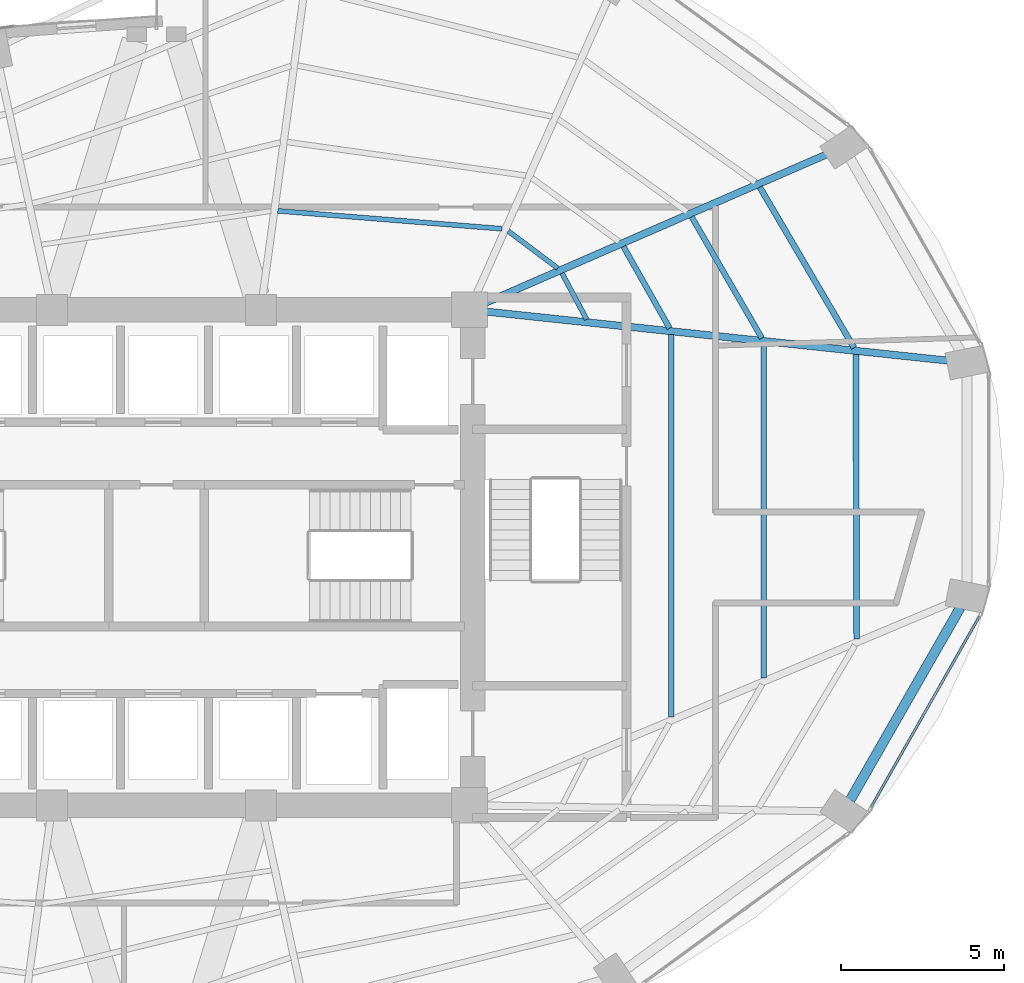
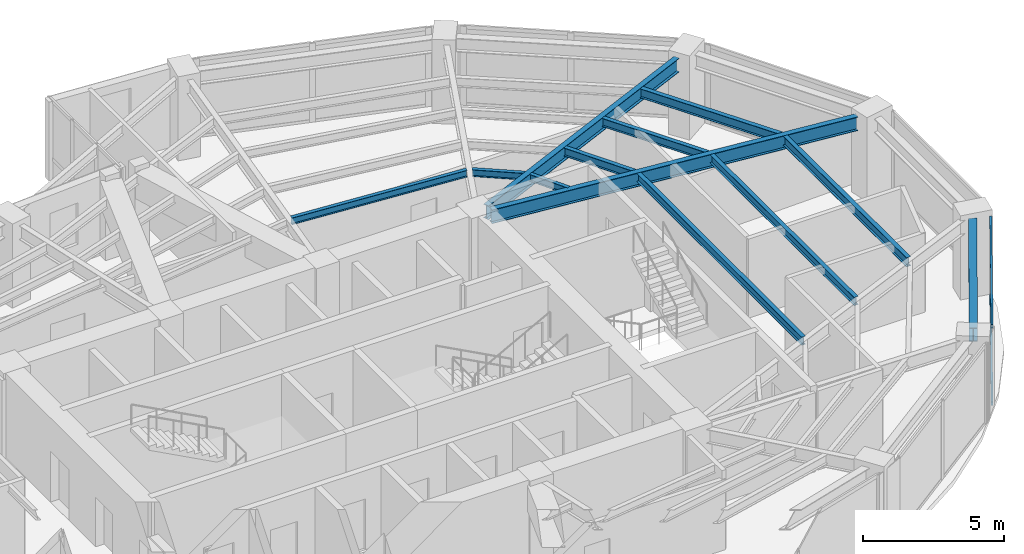
# One storey, part 12 of 24: 12 beams, 2 members, 1 element without a shape of its own.
"""IFC4 building model written with IfcOpenShell, lengths in metres."""

from ifc_helpers import new_model, si_unit, direction, frame, origin, origin_2d, place, context, subcontext, project, spatial, hollow_rectangle, i_section, extrude, material, layer, layer_set, material_profile, profile_set, type_object, element, aggregate, save


model = new_model("IFC4")

# Units and contexts
model_context = context("Model", 3, precision=1e-05, world=origin(), true_north=direction((0.0, 1.0)))
body_context = subcontext(model_context, "Body", "Model", "MODEL_VIEW")
ifc_project = project(units=[si_unit("LENGTHUNIT", "METRE"), si_unit("AREAUNIT", "SQUARE_METRE"), si_unit("VOLUMEUNIT", "CUBIC_METRE"), si_unit("PLANEANGLEUNIT", "RADIAN"), si_unit("MASSUNIT", "GRAM", prefix="KILO")], contexts=[model_context])

# Site, building, storey
site_placement = place(None, origin())
site = spatial("IfcSite", under=ifc_project, at=site_placement, CompositionType="ELEMENT")
building_placement = place(site_placement, origin())
building = spatial("IfcBuilding", under=site, at=building_placement, Name="Lazwardi Medical Tower", CompositionType="ELEMENT")
storey_placement = place(building_placement, frame((0.0, 0.0, 99.98388671875)))
storey = spatial("IfcBuildingStorey", under=building, at=storey_placement, Name="L25", CompositionType="ELEMENT", Elevation=99.98388671875)

# Beams
ifc_material_1 = material(Name="Steel S355", Category="steel")
ifc_material_profile_1 = material_profile(ifc_material_1, i_section(OverallWidth=0.300048828125, OverallDepth=0.60009765625, WebThickness=0.015380859375, FlangeThickness=0.030029296875, at=origin_2d()), Name="HEB 600")
ifc_profile_set_1 = profile_set([ifc_material_profile_1], Name="Steel S355")
beam_type_1 = type_object("IfcBeamType", Name="BM-RB-Z2", PredefinedType="BEAM", material=ifc_profile_set_1)
beam_1_placement = place(storey_placement, frame((57.281494140625, 20.561279296875, 3.128173828125), z_axis=(0.496653025517, 0.867949176072, 0.0), x_axis=(-0.867949176072, 0.496653025517, 0.0)))
element("IfcBeam", 1, at=beam_1_placement, inside=storey, type_object=beam_type_1, Name="Ring beam RB-03 B03 L25", PredefinedType="BEAM", context=body_context, shape_type="SweptSolid", body=[
    extrude(i_section(OverallWidth=0.300048828125, OverallDepth=0.60009765625, WebThickness=0.015380859375, FlangeThickness=0.030029296875, at=origin_2d()), origin(), (0.0, 0.0, 1.0), 6.80078125),
])
ifc_material_profile_2 = material_profile(ifc_material_1, i_section(OverallWidth=0.219970703125, OverallDepth=0.60009765625, WebThickness=0.011962890625, FlangeThickness=0.01904296875, at=origin_2d()), Name="IPE 600")
ifc_profile_set_2 = profile_set([ifc_material_profile_2], Name="Steel S355")
beam_type_2 = type_object("IfcBeamType", Name="BM-RG-W1", PredefinedType="BEAM", material=ifc_profile_set_2)
beam_2_placement = place(storey_placement, frame((60.2861328125, 34.041015625, 3.128173828125), z_axis=(-0.994413340753, 0.10555618282, 0.0), x_axis=(-0.10555618282, -0.994413340753, 0.0)))
element("IfcBeam", 2, at=beam_2_placement, inside=storey, type_object=beam_type_2, Name="Radial girder RG-02 R05 L25", PredefinedType="BEAM", context=body_context, shape_type="SweptSolid", body=[
    extrude(i_section(OverallWidth=0.219970703125, OverallDepth=0.60009765625, WebThickness=0.011962890625, FlangeThickness=0.01904296875, at=origin_2d()), origin(), (0.0, 0.0, 1.0), 14.233642578125),
])
beam_3_placement = place(storey_placement, frame((56.5458984375, 40.36328125, 3.128173828125), z_axis=(-0.916941336121, -0.399022037127, 0.0), x_axis=(0.399022037127, -0.916941336121, 0.0)))
element("IfcBeam", 3, at=beam_3_placement, inside=storey, type_object=beam_type_2, Name="Radial girder RG-02 R06 L25", PredefinedType="BEAM", context=body_context, shape_type="SweptSolid", body=[
    extrude(i_section(OverallWidth=0.219970703125, OverallDepth=0.60009765625, WebThickness=0.011962890625, FlangeThickness=0.01904296875, at=origin_2d()), origin(), (0.0, 0.0, 1.0), 11.40234375),
])
ifc_material_profile_3 = material_profile(ifc_material_1, i_section(OverallWidth=0.179931640625, OverallDepth=0.39990234375, WebThickness=0.008544921875, FlangeThickness=0.013427734375, at=origin_2d()), Name="IPE 400")
ifc_profile_set_3 = profile_set([ifc_material_profile_3], Name="Steel S355")
beam_type_3 = type_object("IfcBeamType", Name="BM-SJ-01", PredefinedType="JOIST", material=ifc_profile_set_3)
beam_4_placement = place(storey_placement, frame((57.48095703125, 25.502685546875, 3.22802734375), z_axis=(-0.002907126978, 0.999995774297, 0.0), x_axis=(-0.999995774297, -0.002907126978, 0.0)))
element("IfcBeam", 4, at=beam_4_placement, inside=storey, type_object=beam_type_3, Name="Secondary joist SJ-01 R1 B04 L25", PredefinedType="JOIST", context=body_context, shape_type="SweptSolid", body=[
    extrude(i_section(OverallWidth=0.179931640625, OverallDepth=0.39990234375, WebThickness=0.008544921875, FlangeThickness=0.013427734375, at=origin_2d()), origin(), (0.0, 0.0, 1.0), 8.73388671875),
])
beam_5_placement = place(storey_placement, frame((57.402099609375, 34.43212890625, 3.22802734375), z_axis=(-0.506195045201, 0.862419025888, 0.0), x_axis=(-0.862419025888, -0.506195045201, 0.0)))
element("IfcBeam", 5, at=beam_5_placement, inside=storey, type_object=beam_type_3, Name="Secondary joist SJ-01 R1 B05 L25", PredefinedType="JOIST", context=body_context, shape_type="SweptSolid", body=[
    extrude(i_section(OverallWidth=0.179931640625, OverallDepth=0.39990234375, WebThickness=0.008544921875, FlangeThickness=0.013427734375, at=origin_2d()), origin(), (0.0, 0.0, 1.0), 5.71728515625),
])
ifc_material_profile_4 = material_profile(ifc_material_1, i_section(OverallWidth=0.169921875, OverallDepth=0.360107421875, WebThickness=0.008056640625, FlangeThickness=0.0126953125, at=origin_2d()), Name="IPE 360")
ifc_profile_set_4 = profile_set([ifc_material_profile_4], Name="Steel S355")
beam_type_4 = type_object("IfcBeamType", Name="BM-SJ-02", PredefinedType="JOIST", material=ifc_profile_set_4)
beam_6_placement = place(storey_placement, frame((54.634033203125, 24.30517578125, 3.248046875), z_axis=(-0.000930565095, 0.999999567024, 0.0), x_axis=(-0.999999567024, -0.000930565095, 0.0)))
element("IfcBeam", 6, at=beam_6_placement, inside=storey, type_object=beam_type_4, Name="Secondary joist SJ-02 R2 B04 L25", PredefinedType="JOIST", context=body_context, shape_type="SweptSolid", body=[
    extrude(i_section(OverallWidth=0.169921875, OverallDepth=0.360107421875, WebThickness=0.008056640625, FlangeThickness=0.0126953125, at=origin_2d()), origin(), (0.0, 0.0, 1.0), 10.23193359375),
])
beam_7_placement = place(storey_placement, frame((54.57177734375, 34.73291015625, 3.248046875), z_axis=(-0.501365325212, 0.865235696602, 0.0), x_axis=(-0.865235696602, -0.501365325212, 0.0)))
element("IfcBeam", 7, at=beam_7_placement, inside=storey, type_object=beam_type_4, Name="Secondary joist SJ-02 R2 B05 L25", PredefinedType="JOIST", context=body_context, shape_type="SweptSolid", body=[
    extrude(i_section(OverallWidth=0.169921875, OverallDepth=0.360107421875, WebThickness=0.008056640625, FlangeThickness=0.0126953125, at=origin_2d()), origin(), (0.0, 0.0, 1.0), 4.298828125),
])
beam_8_placement = place(storey_placement, frame((51.787109375, 23.107421875, 3.248046875), z_axis=(0.000561961365, 0.9999998421, 0.0), x_axis=(-0.9999998421, 0.000561961365, 0.0)))
element("IfcBeam", 8, at=beam_8_placement, inside=storey, type_object=beam_type_4, Name="Secondary joist SJ-02 R3 B04 L25", PredefinedType="JOIST", context=body_context, shape_type="SweptSolid", body=[
    extrude(i_section(OverallWidth=0.169921875, OverallDepth=0.360107421875, WebThickness=0.008056640625, FlangeThickness=0.0126953125, at=origin_2d()), origin(), (0.0, 0.0, 1.0), 11.72998046875),
])
beam_9_placement = place(storey_placement, frame((51.741943359375, 35.033935546875, 3.248046875), z_axis=(-0.492026539517, 0.870580199873, 0.0), x_axis=(-0.870580199873, -0.492026539517, 0.0)))
element("IfcBeam", 9, at=beam_9_placement, inside=storey, type_object=beam_type_4, Name="Secondary joist SJ-02 R3 B05 L25", PredefinedType="JOIST", context=body_context, shape_type="SweptSolid", body=[
    extrude(i_section(OverallWidth=0.169921875, OverallDepth=0.360107421875, WebThickness=0.008056640625, FlangeThickness=0.0126953125, at=origin_2d()), origin(), (0.0, 0.0, 1.0), 2.880859375),
])
ifc_material_profile_5 = material_profile(ifc_material_1, i_section(OverallWidth=0.14990234375, OverallDepth=0.300048828125, WebThickness=0.007080078125, FlangeThickness=0.0107421875, at=origin_2d()), Name="IPE 300")
ifc_profile_set_5 = profile_set([ifc_material_profile_5], Name="Steel S355")
beam_type_5 = type_object("IfcBeamType", Name="BM-SJ-03", PredefinedType="JOIST", material=ifc_profile_set_5)
beam_10_placement = place(storey_placement, frame((49.1962890625, 35.3056640625, 3.278076171875), z_axis=(-0.471022344925, 0.882121278839, 0.0), x_axis=(-0.882121278839, -0.471022344925, 0.0)))
element("IfcBeam", 10, at=beam_10_placement, inside=storey, type_object=beam_type_5, Name="Secondary joist SJ-03 R4 B05 L25", PredefinedType="JOIST", context=body_context, shape_type="SweptSolid", body=[
    extrude(i_section(OverallWidth=0.14990234375, OverallDepth=0.300048828125, WebThickness=0.007080078125, FlangeThickness=0.0107421875, at=origin_2d()), origin(), (0.0, 0.0, 1.0), 1.605224609375),
])
beam_11_placement = place(storey_placement, frame((48.306640625, 36.87744140625, 3.278076171875), z_axis=(-0.800447687995, 0.599402618265, 0.0), x_axis=(-0.599402618265, -0.800447687995, 0.0)))
element("IfcBeam", 11, at=beam_11_placement, inside=storey, type_object=beam_type_5, Name="Secondary joist SJ-03 R4 B06 L25", PredefinedType="JOIST", context=body_context, shape_type="SweptSolid", body=[
    extrude(i_section(OverallWidth=0.14990234375, OverallDepth=0.300048828125, WebThickness=0.007080078125, FlangeThickness=0.0107421875, at=origin_2d()), origin(), (0.0, 0.0, 1.0), 1.896728515625),
])
beam_12_placement = place(storey_placement, frame((46.599609375, 38.085693359375, 3.278076171875), z_axis=(-0.996816178299, 0.079733974445, 0.0), x_axis=(-0.079733974445, -0.996816178299, 0.0)))
element("IfcBeam", 12, at=beam_12_placement, inside=storey, type_object=beam_type_5, Name="Secondary joist SJ-03 R4 B07 L25", PredefinedType="JOIST", context=body_context, shape_type="SweptSolid", body=[
    extrude(i_section(OverallWidth=0.14990234375, OverallDepth=0.300048828125, WebThickness=0.007080078125, FlangeThickness=0.0107421875, at=origin_2d()), origin(), (0.0, 0.0, 1.0), 6.901611328125),
])

# Curtain wall, members
ifc_material_2 = material(Name="Anodised bronze aluminium and solar control glazing", Category="aluminium")
ifc_layer = layer(ifc_material_2, 0.195068359375)
ifc_layer_set = layer_set([ifc_layer], Name="Anodised bronze aluminium and solar control glazing")
curtain_wall_type = type_object("IfcCurtainWallType", Name="CW-SYS-03", PredefinedType="NOTDEFINED", material=ifc_layer_set)
curtain_wall_placement = place(storey_placement, origin())
curtain_wall = element("IfcCurtainWall", 13, at=curtain_wall_placement, inside=storey, type_object=curtain_wall_type, Name="L25 Unitised bronze curtain wall CW-03", PredefinedType="NOTDEFINED")
ifc_material_3 = material(Name="Anodised bronze aluminium", Category="aluminium")
ifc_material_profile_6 = material_profile(ifc_material_3, hollow_rectangle(XDim=0.074951171875, YDim=0.159912109375, WallThickness=0.00390625, at=origin_2d()), Name="ALU-TRANSOM 160x75x4")
ifc_profile_set_6 = profile_set([ifc_material_profile_6], Name="Anodised bronze aluminium")
member_type = type_object("IfcMemberType", Name="CW-TRN-01", PredefinedType="USERDEFINED", material=ifc_profile_set_6)
member_1_placement = place(storey_placement, frame((57.925537109375, 20.3466796875, 0.03759765625), z_axis=(0.493614427365, 0.869680859337, 0.0), x_axis=(-0.869680859337, 0.493614427365, 0.0)))
member_1 = element("IfcMember", 14, at=member_1_placement, type_object=member_type, Name="CW-03 transom 1.1", ObjectType="TRANSOM", PredefinedType="USERDEFINED", context=body_context, shape_type="SweptSolid", body=[
    extrude(hollow_rectangle(XDim=0.074951171875, YDim=0.159912109375, WallThickness=0.00390625, at=origin_2d()), origin(), (0.0, 0.0, 1.0), 6.72314453125),
])
member_2_placement = place(storey_placement, frame((57.925537109375, 20.3466796875, 3.390625), z_axis=(0.493614427365, 0.869680859337, 0.0), x_axis=(-0.869680859337, 0.493614427365, 0.0)))
member_2 = element("IfcMember", 15, at=member_2_placement, type_object=member_type, Name="CW-03 transom 1.2", ObjectType="TRANSOM", PredefinedType="USERDEFINED", context=body_context, shape_type="SweptSolid", body=[
    extrude(hollow_rectangle(XDim=0.074951171875, YDim=0.159912109375, WallThickness=0.00390625, at=origin_2d()), origin(), (0.0, 0.0, 1.0), 6.72314453125),
])
aggregate(curtain_wall, [member_1, member_2])

save(model, "model.ifc")
